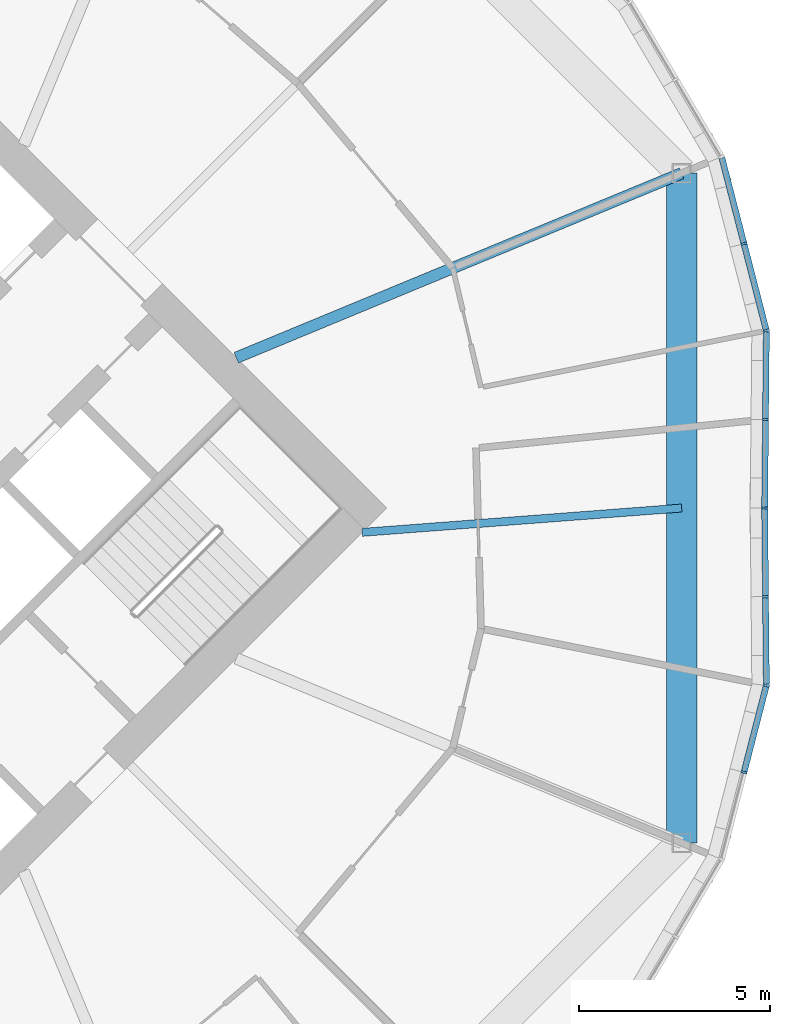
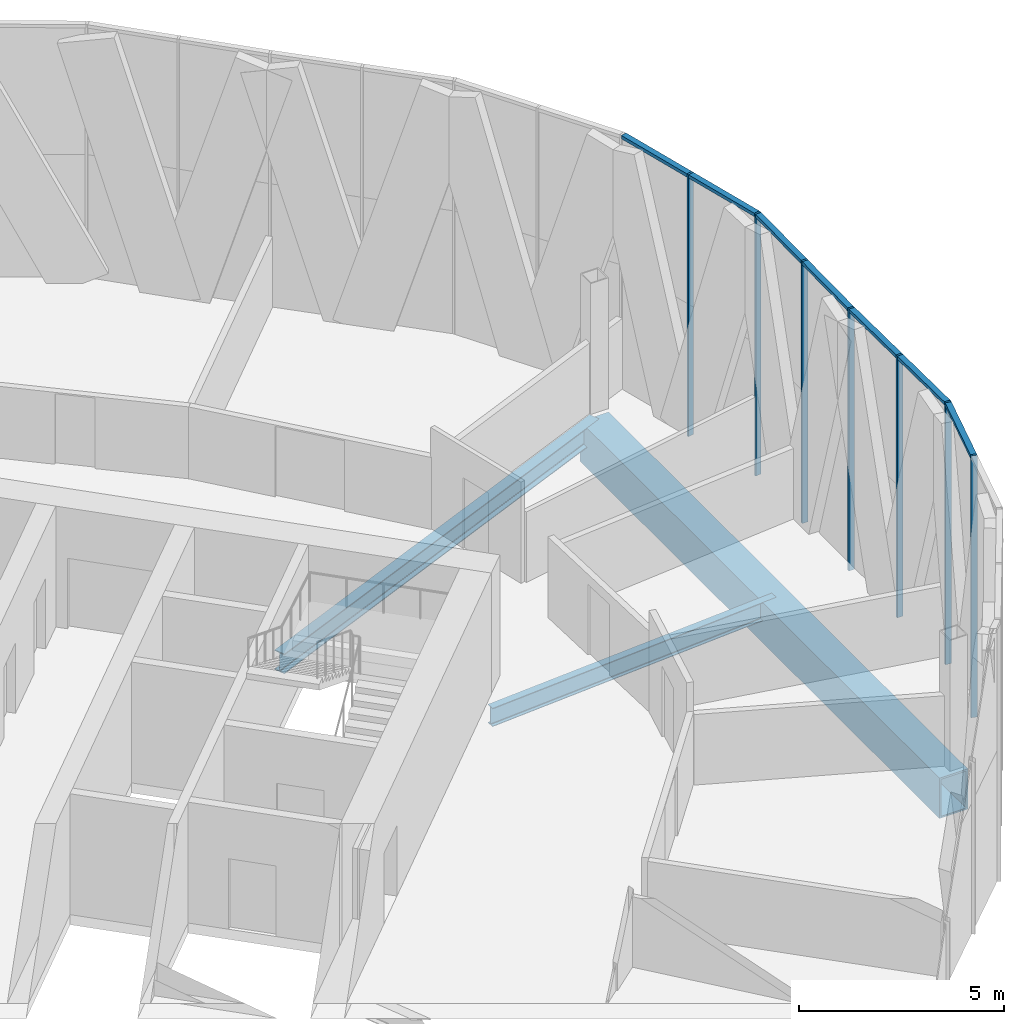
# One storey, part 14 of 31: 14 members, 3 beams, 2 elements without a shape of their own.
"""IFC4 building model written with IfcOpenShell, lengths in metres."""

from ifc_helpers import new_model, si_unit, direction, frame, origin, origin_2d, place, context, subcontext, project, spatial, rectangle, hollow_rectangle, i_section, extrude, material, material_profile, profile_set, type_object, element, aggregate, save


model = new_model("IFC4")

# Units and contexts
model_context = context("Model", 3, precision=1e-05, world=origin(), true_north=direction((0.0, 1.0)))
body_context = subcontext(model_context, "Body", "Model", "MODEL_VIEW")
ifc_project = project(units=[si_unit("LENGTHUNIT", "METRE"), si_unit("AREAUNIT", "SQUARE_METRE"), si_unit("VOLUMEUNIT", "CUBIC_METRE"), si_unit("PLANEANGLEUNIT", "RADIAN"), si_unit("MASSUNIT", "GRAM", prefix="KILO")], contexts=[model_context])

# Site, building, storey
site_placement = place(None, origin())
site = spatial("IfcSite", under=ifc_project, at=site_placement, CompositionType="ELEMENT")
building_placement = place(site_placement, origin())
building = spatial("IfcBuilding", under=site, at=building_placement, Name="Ogive Gate Towers", CompositionType="ELEMENT")
storey_placement = place(building_placement, frame((0.0, 0.0, 63.60009765625)))
storey = spatial("IfcBuildingStorey", under=building, at=storey_placement, Name="L14", CompositionType="ELEMENT", Elevation=63.60009765625)

# Beams
ifc_material_1 = material(Name="Steel SM460", Category="steel")
ifc_material_profile_1 = material_profile(ifc_material_1, hollow_rectangle(XDim=0.800048828125, YDim=1.199951171875, WallThickness=0.050048828125, at=origin_2d()), Name="BX 1200x800x50")
ifc_profile_set_1 = profile_set([ifc_material_profile_1], Name="Steel SM460")
beam_type_1 = type_object("IfcBeamType", Name="Edge girder BX 1200x800x50", PredefinedType="BEAM", material=ifc_profile_set_1)
beam_1_placement = place(storey_placement, frame((57.15673828125, -8.763427734375, -0.900146484375), z_axis=(0.0, 1.0, 0.0), x_axis=(-1.0, 0.0, 0.0)))
element("IfcBeam", 1, at=beam_1_placement, inside=storey, type_object=beam_type_1, Name="T2/L14/SBM020", PredefinedType="BEAM", context=body_context, shape_type="SweptSolid", body=[
    extrude(hollow_rectangle(XDim=0.800048828125, YDim=1.199951171875, WallThickness=0.050048828125, at=origin_2d()), origin(), (0.0, 0.0, 1.0), 17.52685546875),
])
ifc_material_2 = material(Name="Steel SM355", Category="steel")
ifc_material_profile_2 = material_profile(ifc_material_2, i_section(OverallWidth=0.300048828125, OverallDepth=0.590087890625, WebThickness=0.012939453125, FlangeThickness=0.02490234375, FilletRadius=0.027099609375, at=origin_2d()), Name="HE 600 A")
ifc_profile_set_2 = profile_set([ifc_material_profile_2], Name="Steel SM355")
beam_type_2 = type_object("IfcBeamType", Name="Radial floor beam HE 600 A", PredefinedType="BEAM", material=ifc_profile_set_2)
beam_2_placement = place(storey_placement, frame((45.5, 3.93505859375, -0.59521484375), z_axis=(0.923879811284, 0.382682759347, 0.0), x_axis=(-0.382682759347, 0.923879811284, 0.0)))
element("IfcBeam", 2, at=beam_2_placement, inside=storey, type_object=beam_type_2, Name="T2/L14/SBM009", PredefinedType="BEAM", context=body_context, shape_type="SweptSolid", body=[
    extrude(i_section(OverallWidth=0.300048828125, OverallDepth=0.590087890625, WebThickness=0.012939453125, FlangeThickness=0.02490234375, FilletRadius=0.027099609375, at=origin_2d()), origin(), (0.0, 0.0, 1.0), 12.6171875),
])
ifc_material_profile_3 = material_profile(ifc_material_2, i_section(OverallWidth=0.2099609375, OverallDepth=0.550048828125, WebThickness=0.010986328125, FlangeThickness=0.01708984375, FilletRadius=0.02392578125, at=origin_2d()), Name="IPE 550")
ifc_profile_set_3 = profile_set([ifc_material_profile_3], Name="Steel SM355")
beam_type_3 = type_object("IfcBeamType", Name="Radial floor beam IPE 550", PredefinedType="BEAM", material=ifc_profile_set_3)
beam_3_placement = place(storey_placement, frame((48.798583984375, -0.636474609375, -0.5751953125), z_axis=(0.997113127526, 0.075930303007, 0.0), x_axis=(-0.075930303007, 0.997113127526, 0.0)))
element("IfcBeam", 3, at=beam_3_placement, inside=storey, type_object=beam_type_3, Name="T2/L14/SBM008", PredefinedType="BEAM", context=body_context, shape_type="SweptSolid", body=[
    extrude(i_section(OverallWidth=0.2099609375, OverallDepth=0.550048828125, WebThickness=0.010986328125, FlangeThickness=0.01708984375, FilletRadius=0.02392578125, at=origin_2d()), origin(), (0.0, 0.0, 1.0), 8.38232421875),
])

# Curtain wall, members
ifc_material_3 = material(Name="Pale metal aluminium", Category="aluminium")
curtain_wall_type = type_object("IfcCurtainWallType", Name="Tower unitised wall, low zone", PredefinedType="NOTDEFINED", material=ifc_material_3)
curtain_wall_1_placement = place(storey_placement, origin())
curtain_wall_1 = element("IfcCurtainWall", 4, at=curtain_wall_1_placement, inside=storey, type_object=curtain_wall_type, Name="CW1 T2 ECW03", PredefinedType="NOTDEFINED")
ifc_material_profile_4 = material_profile(ifc_material_3, rectangle(XDim=0.159912109375, YDim=0.06005859375, at=origin_2d()), Name="60 x 160 aluminium box")
ifc_profile_set_4 = profile_set([ifc_material_profile_4], Name="Pale metal aluminium")
member_type_1 = type_object("IfcMemberType", Name="Tower unitised wall, low zone mullion 60 x 160", PredefinedType="MULLION", material=ifc_profile_set_4)
member_1_placement = place(storey_placement, frame((58.788330078125, 6.918212890625, -0.300048828125), z_axis=(0.0, 0.0, 1.0), x_axis=(-0.968439765391, -0.249247709738, 0.0)))
member_1 = element("IfcMember", 5, at=member_1_placement, type_object=member_type_1, Name="CW1 mullion", PredefinedType="MULLION", context=body_context, shape_type="SweptSolid", body=[
    extrude(rectangle(XDim=0.159912109375, YDim=0.06005859375, at=origin_2d()), origin(), (0.0, 0.0, 1.0), 7.800048828125),
])
member_2_placement = place(storey_placement, frame((59.37451171875, 4.64013671875, -0.300048828125), z_axis=(0.0, 0.0, 1.0), x_axis=(-0.992669010308, -0.120864535632, 0.0)))
member_2 = element("IfcMember", 6, at=member_2_placement, type_object=member_type_1, Name="CW1 mullion", PredefinedType="MULLION", context=body_context, shape_type="SweptSolid", body=[
    extrude(rectangle(XDim=0.159912109375, YDim=0.06005859375, at=origin_2d()), origin(), (0.0, 0.0, 1.0), 7.800048828125),
])
member_3_placement = place(storey_placement, frame((59.352294921875, 2.318603515625, -0.300048828125), z_axis=(0.0, 0.0, 1.0), x_axis=(-0.999953926969, 0.009599163462, 0.0)))
member_3 = element("IfcMember", 7, at=member_3_placement, type_object=member_type_1, Name="CW1 mullion", PredefinedType="MULLION", context=body_context, shape_type="SweptSolid", body=[
    extrude(rectangle(XDim=0.159912109375, YDim=0.06005859375, at=origin_2d()), origin(), (0.0, 0.0, 1.0), 7.800048828125),
])
member_4_placement = place(storey_placement, frame((59.330078125, -0.000244140625, -0.300048828125), z_axis=(0.0, 0.0, 1.0), x_axis=(-0.99995375928, 0.009616615949, 0.0)))
member_4 = element("IfcMember", 8, at=member_4_placement, type_object=member_type_1, Name="CW1 mullion", PredefinedType="MULLION", context=body_context, shape_type="SweptSolid", body=[
    extrude(rectangle(XDim=0.159912109375, YDim=0.06005859375, at=origin_2d()), origin(), (0.0, 0.0, 1.0), 7.800048828125),
])

curtain_wall_2_placement = place(storey_placement, origin())
curtain_wall_2 = element("IfcCurtainWall", 9, at=curtain_wall_2_placement, inside=storey, type_object=curtain_wall_type, Name="CW1 T2 ECW09", PredefinedType="NOTDEFINED")
member_5_placement = place(storey_placement, frame((59.352294921875, -2.318603515625, -0.300048828125), z_axis=(0.0, 0.0, 1.0), x_axis=(-0.999953926969, -0.009599163462, 0.0)))
member_5 = element("IfcMember", 10, at=member_5_placement, type_object=member_type_1, Name="CW1 mullion", PredefinedType="MULLION", context=body_context, shape_type="SweptSolid", body=[
    extrude(rectangle(XDim=0.159912109375, YDim=0.06005859375, at=origin_2d()), origin(), (0.0, 0.0, 1.0), 7.800048828125),
])
member_6_placement = place(storey_placement, frame((59.37451171875, -4.64013671875, -0.300048828125), z_axis=(0.0, 0.0, 1.0), x_axis=(-0.992669010308, 0.120864535632, 0.0)))
member_6 = element("IfcMember", 11, at=member_6_placement, type_object=member_type_1, Name="CW1 mullion", PredefinedType="MULLION", context=body_context, shape_type="SweptSolid", body=[
    extrude(rectangle(XDim=0.159912109375, YDim=0.06005859375, at=origin_2d()), origin(), (0.0, 0.0, 1.0), 7.800048828125),
])
member_7_placement = place(storey_placement, frame((58.788330078125, -6.918212890625, -0.300048828125), z_axis=(0.0, 0.0, 1.0), x_axis=(-0.968439765391, 0.249247709738, 0.0)))
member_7 = element("IfcMember", 12, at=member_7_placement, type_object=member_type_1, Name="CW1 mullion", PredefinedType="MULLION", context=body_context, shape_type="SweptSolid", body=[
    extrude(rectangle(XDim=0.159912109375, YDim=0.06005859375, at=origin_2d()), origin(), (0.0, 0.0, 1.0), 7.800048828125),
])

# Member
ifc_material_profile_5 = material_profile(ifc_material_3, rectangle(XDim=0.159912109375, YDim=0.10009765625, at=origin_2d()), Name="100 x 160 aluminium box")
ifc_profile_set_5 = profile_set([ifc_material_profile_5], Name="Pale metal aluminium")
member_type_2 = type_object("IfcMemberType", Name="Tower unitised wall, low zone transom 100 x 160", PredefinedType="USERDEFINED", material=ifc_profile_set_5)
member_8_placement = place(storey_placement, frame((58.210205078125, 9.16455078125, 7.449951171875), z_axis=(0.249203926839, -0.968451032757, 0.0), x_axis=(0.968451032757, 0.249203926839, 0.0)))
member_8 = element("IfcMember", 13, at=member_8_placement, type_object=member_type_2, Name="CW1 transom", ObjectType="TRANSOM", PredefinedType="USERDEFINED", context=body_context, shape_type="SweptSolid", body=[
    extrude(rectangle(XDim=0.159912109375, YDim=0.10009765625, at=origin_2d()), origin(), (0.0, 0.0, 1.0), 2.28955078125),
])

member_9_placement = place(storey_placement, frame((58.795654296875, 6.88916015625, 7.449951171875), z_axis=(0.249303934712, -0.968425293008, 0.0), x_axis=(0.968425293008, 0.249303934712, 0.0)))
member_9 = element("IfcMember", 14, at=member_9_placement, type_object=member_type_2, Name="CW1 transom", ObjectType="TRANSOM", PredefinedType="USERDEFINED", context=body_context, shape_type="SweptSolid", body=[
    extrude(rectangle(XDim=0.159912109375, YDim=0.10009765625, at=origin_2d()), origin(), (0.0, 0.0, 1.0), 2.28955078125),
])

member_10_placement = place(storey_placement, frame((59.374267578125, 4.607666015625, 7.449951171875), z_axis=(-0.009618057208, -0.999953745418, 0.0), x_axis=(0.999953745418, -0.009618057208, 0.0)))
member_10 = element("IfcMember", 15, at=member_10_placement, type_object=member_type_2, Name="CW1 transom", ObjectType="TRANSOM", PredefinedType="USERDEFINED", context=body_context, shape_type="SweptSolid", body=[
    extrude(rectangle(XDim=0.159912109375, YDim=0.10009765625, at=origin_2d()), origin(), (0.0, 0.0, 1.0), 2.259033203125),
])

member_11_placement = place(storey_placement, frame((59.35205078125, 2.288818359375, 7.449951171875), z_axis=(-0.009618057208, -0.999953745418, 0.0), x_axis=(0.999953745418, -0.009618057208, 0.0)))
member_11 = element("IfcMember", 16, at=member_11_placement, type_object=member_type_2, Name="CW1 transom", ObjectType="TRANSOM", PredefinedType="USERDEFINED", context=body_context, shape_type="SweptSolid", body=[
    extrude(rectangle(XDim=0.159912109375, YDim=0.10009765625, at=origin_2d()), origin(), (0.0, 0.0, 1.0), 2.259033203125),
])

aggregate(curtain_wall_1, [member_1, member_8, member_2, member_9, member_3, member_10, member_4, member_11])

member_12_placement = place(storey_placement, frame((59.330322265625, -0.02978515625, 7.449951171875), z_axis=(0.009618057208, -0.999953745418, 0.0), x_axis=(0.999953745418, 0.009618057208, 0.0)))
member_12 = element("IfcMember", 17, at=member_12_placement, type_object=member_type_2, Name="CW1 transom", ObjectType="TRANSOM", PredefinedType="USERDEFINED", context=body_context, shape_type="SweptSolid", body=[
    extrude(rectangle(XDim=0.159912109375, YDim=0.10009765625, at=origin_2d()), origin(), (0.0, 0.0, 1.0), 2.259033203125),
])

member_13_placement = place(storey_placement, frame((59.3525390625, -2.3486328125, 7.449951171875), z_axis=(0.009618057208, -0.999953745418, 0.0), x_axis=(0.999953745418, 0.009618057208, 0.0)))
member_13 = element("IfcMember", 18, at=member_13_placement, type_object=member_type_2, Name="CW1 transom", ObjectType="TRANSOM", PredefinedType="USERDEFINED", context=body_context, shape_type="SweptSolid", body=[
    extrude(rectangle(XDim=0.159912109375, YDim=0.10009765625, at=origin_2d()), origin(), (0.0, 0.0, 1.0), 2.259033203125),
])

member_14_placement = place(storey_placement, frame((59.366455078125, -4.671875, 7.449951171875), z_axis=(-0.249303934712, -0.968425293008, 0.0), x_axis=(0.968425293008, -0.249303934712, 0.0)))
member_14 = element("IfcMember", 19, at=member_14_placement, type_object=member_type_2, Name="CW1 transom", ObjectType="TRANSOM", PredefinedType="USERDEFINED", context=body_context, shape_type="SweptSolid", body=[
    extrude(rectangle(XDim=0.159912109375, YDim=0.10009765625, at=origin_2d()), origin(), (0.0, 0.0, 1.0), 2.28955078125),
])

aggregate(curtain_wall_2, [member_5, member_12, member_6, member_13, member_7, member_14])

save(model, "model.ifc")
